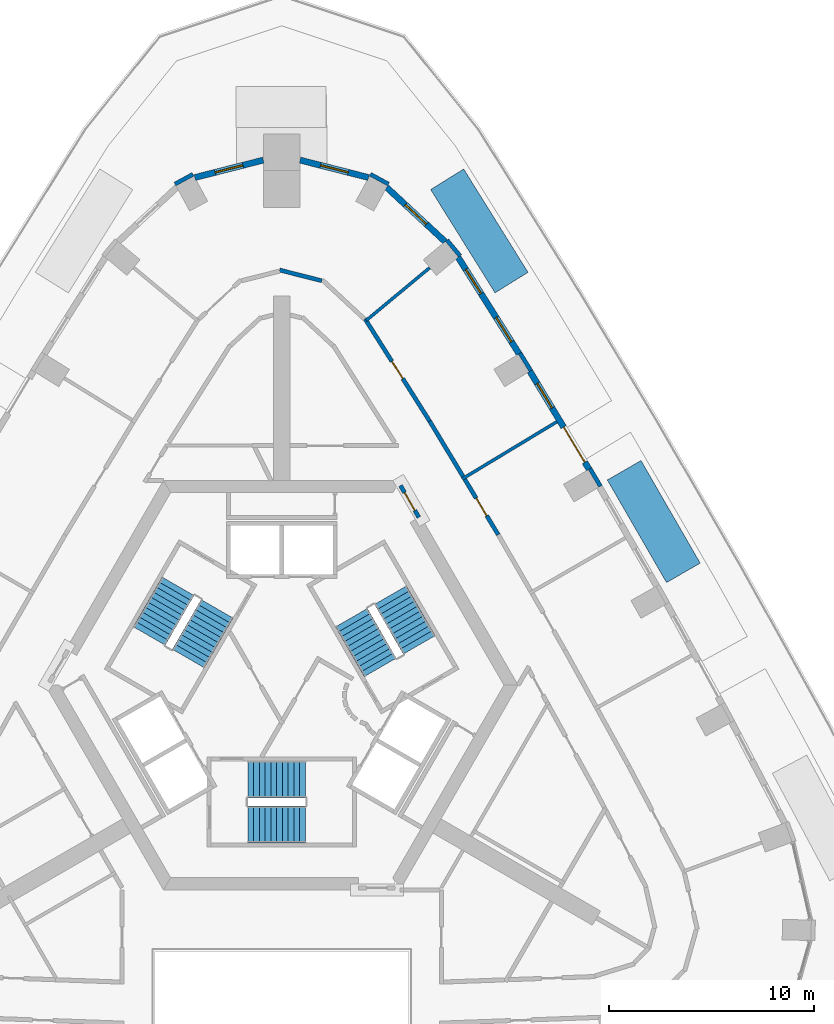
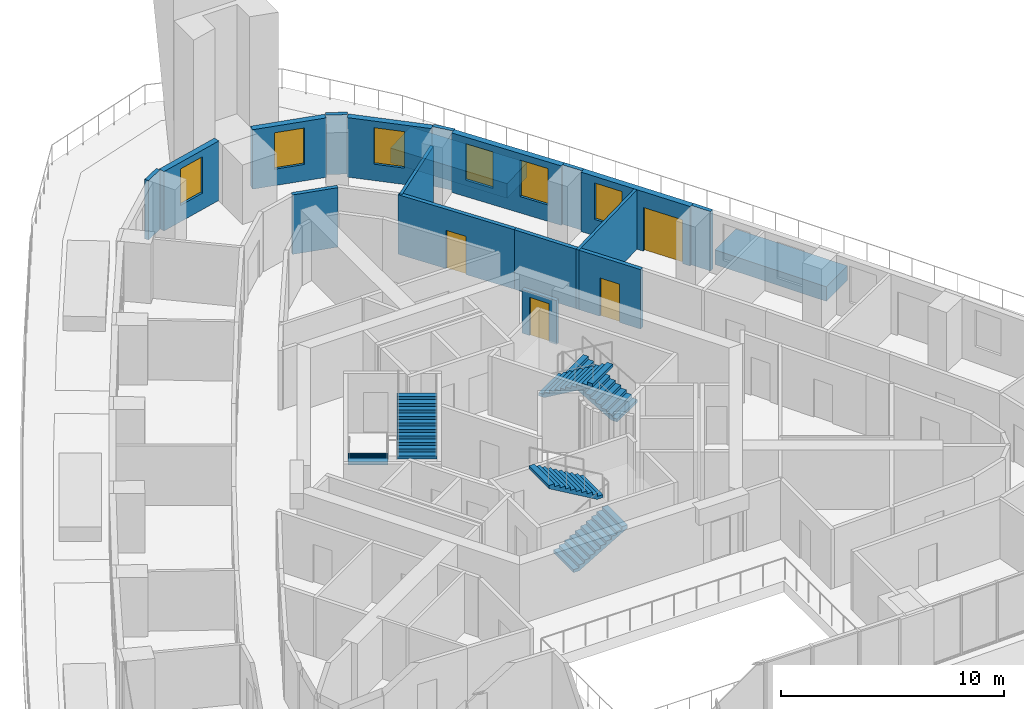
# One storey, part 10 of 14: 19 walls, 6 stair flights, 6 windows, 4 doors, 10 openings, 3 elements without a shape of their own.
"""IFC4 building model written with IfcOpenShell, lengths in metres."""

from ifc_helpers import new_model, si_unit, direction, frame, frame_2d, origin, place, context, subcontext, project, spatial, polyline, rectangle, outline, extrude, material, layer, layer_set, type_object, element, fill, aggregate, save


model = new_model("IFC4")

# Units and contexts
model_context = context("Model", 3, precision=1e-05, world=origin(), true_north=direction((0.0, 1.0)))
body_context = subcontext(model_context, "Body", "Model", "MODEL_VIEW")
ifc_project = project(units=[si_unit("LENGTHUNIT", "METRE"), si_unit("AREAUNIT", "SQUARE_METRE"), si_unit("VOLUMEUNIT", "CUBIC_METRE"), si_unit("PLANEANGLEUNIT", "RADIAN"), si_unit("MASSUNIT", "GRAM", prefix="KILO")], contexts=[model_context])

# Site, building, storey
site_placement = place(None, origin())
site = spatial("IfcSite", under=ifc_project, at=site_placement, CompositionType="ELEMENT")
building_placement = place(site_placement, origin())
building = spatial("IfcBuilding", under=site, at=building_placement, Name="Entoto Arch Interchange Tower", CompositionType="ELEMENT")
storey_placement = place(building_placement, frame((0.0, 0.0, 241.39990234375)))
storey = spatial("IfcBuildingStorey", under=building, at=storey_placement, Name="L54", CompositionType="ELEMENT", Elevation=241.39990234375)

# Wall, opening, door
ifc_material_1 = material(Name="Reinforced concrete C40/50", Category="concrete")
ifc_layer_1 = layer(ifc_material_1, 0.199951171875)
ifc_layer_set_1 = layer_set([ifc_layer_1], Name="Reinforced concrete C40/50")
wall_type_1 = type_object("IfcWallType", Name="CORE GAP INFILL WALL", PredefinedType="PARTITIONING", material=ifc_layer_set_1)
wall_1_placement = place(storey_placement, frame((6.698974609375, 10.697021484375, 0.0), z_axis=(0.0, 0.0, 1.0), x_axis=(-0.499914839587, 0.866074565589, 0.0)))
wall_1 = element("IfcWall", 1, at=wall_1_placement, inside=storey, type_object=wall_type_1, Name="wall:L54:gap2", PredefinedType="PARTITIONING", context=body_context, shape_type="SweptSolid", body=[
    extrude(rectangle(XDim=1.794189453125, YDim=0.199951171875, at=frame_2d((0.89697265625, 0.0))), origin(), (0.0, 0.0, 1.0), 2.400146484375),
])
opening_1_placement = place(wall_1_placement, frame((0.39697265625, 0.0, 0.0)))
opening_1 = element("IfcOpeningElement", 2, at=opening_1_placement, cuts=wall_1, Name="Opening L54-D92", PredefinedType="OPENING", context=body_context, shape_type="SweptSolid", body=[
    extrude(rectangle(XDim=1.0, YDim=2.10009765625, at=frame_2d((0.5, 1.050048828125))), frame((0.0, 0.10986328125, 0.0), z_axis=(0.0, -1.0, 0.0), x_axis=(1.0, 0.0, 0.0)), (0.0, 0.0, 1.0), 0.219970703125),
])
ifc_material_2 = material(Name="Fire-rated Steel S235 door and frame", Category="steel")
door_type_1 = type_object("IfcDoorType", Name="DOOR FD-10 1000x2100", OperationType="SINGLE_SWING_LEFT", PredefinedType="DOOR", material=ifc_material_2)
door_1_placement = place(opening_1_placement, origin())
door_1 = element("IfcDoor", 3, at=door_1_placement, inside=storey, type_object=door_type_1, Name="door:L54:gap2", OperationType="SINGLE_SWING_LEFT", OverallHeight=2.10009765625, OverallWidth=1.0, PredefinedType="DOOR", context=body_context, shape_type="SweptSolid", body=[
    extrude(rectangle(XDim=1.0, YDim=2.10009765625, at=frame_2d((0.5, 1.050048828125))), frame((0.0, 0.02490234375, 0.0), z_axis=(0.0, -1.0, 0.0), x_axis=(1.0, 0.0, 0.0)), (0.0, 0.0, 1.0), 0.050048828125),
])
fill(opening_1, door_1)

# Walls
ifc_material_3 = material(Name="Gypsum board partition on steel studs", Category="steel")
ifc_layer_2 = layer(ifc_material_3, 0.14990234375)
ifc_layer_set_2 = layer_set([ifc_layer_2], Name="Gypsum board partition on steel studs")
wall_type_2 = type_object("IfcWallType", Name="PARTITION 150", PredefinedType="PARTITIONING", material=ifc_layer_set_2)
wall_2_placement = place(storey_placement, frame((8.81396484375, 12.572021484375, 0.0), z_axis=(0.0, 0.0, 1.0), x_axis=(0.855957229262, 0.517046633945, 0.0)))
element("IfcWall", 4, at=wall_2_placement, inside=storey, type_object=wall_type_2, Name="wall:L54:p107", PredefinedType="PARTITIONING", context=body_context, shape_type="SweptSolid", body=[
    extrude(rectangle(XDim=5.39990234375, YDim=0.14990234375, at=frame_2d((2.699951171875, 0.0))), origin(), (0.0, 0.0, 1.0), 3.260009765625),
])
wall_3_placement = place(storey_placement, frame((4.12109375, 20.31005859375, 0.0), z_axis=(0.0, 0.0, 1.0), x_axis=(0.769367727798, 0.638806151679, 0.0)))
element("IfcWall", 5, at=wall_3_placement, inside=storey, type_object=wall_type_2, Name="wall:L54:p108", PredefinedType="PARTITIONING", context=body_context, shape_type="SweptSolid", body=[
    extrude(rectangle(XDim=4.02783203125, YDim=0.14990234375, at=frame_2d((2.013916015625, 0.0))), origin(), (0.0, 0.0, 1.0), 3.260009765625),
])

# Wall, opening, door
ifc_layer_3 = layer(ifc_material_3, 0.199951171875)
ifc_layer_set_3 = layer_set([ifc_layer_3], Name="Gypsum board partition on steel studs")
wall_type_3 = type_object("IfcWallType", Name="PARTITION 200", PredefinedType="PARTITIONING", material=ifc_layer_set_3)
wall_4_placement = place(storey_placement, frame((8.93896484375, 12.55908203125, 0.0), z_axis=(0.0, 0.0, 1.0), x_axis=(0.517045022441, -0.855958202699, 0.0)))
wall_4 = element("IfcWall", 6, at=wall_4_placement, inside=storey, type_object=wall_type_3, Name="wall:L54:p043", PredefinedType="PARTITIONING", context=body_context, shape_type="SweptSolid", body=[
    extrude(rectangle(XDim=3.166015625, YDim=0.199951171875, at=frame_2d((1.5830078125, 0.0))), origin(), (0.0, 0.0, 1.0), 3.260009765625),
])
opening_2_placement = place(wall_4_placement, frame((1.0830078125, 0.0, 0.0)))
opening_2 = element("IfcOpeningElement", 7, at=opening_2_placement, cuts=wall_4, Name="Opening L54-D05", PredefinedType="OPENING", context=body_context, shape_type="SweptSolid", body=[
    extrude(rectangle(XDim=1.0, YDim=2.10009765625, at=frame_2d((0.5, 1.050048828125))), frame((0.0, 0.10986328125, 0.0), z_axis=(0.0, -1.0, 0.0), x_axis=(1.0, 0.0, 0.0)), (0.0, 0.0, 1.0), 0.219970703125),
])
ifc_material_4 = material(Name="Timber door leaf in Steel S235 frame", Category="steel")
door_type_2 = type_object("IfcDoorType", Name="DOOR DS-10 1000x2100", OperationType="SINGLE_SWING_LEFT", PredefinedType="DOOR", material=ifc_material_4)
door_2_placement = place(opening_2_placement, origin())
door_2 = element("IfcDoor", 8, at=door_2_placement, inside=storey, type_object=door_type_2, Name="door:L54:05", OperationType="SINGLE_SWING_LEFT", OverallHeight=2.10009765625, OverallWidth=1.0, PredefinedType="DOOR", context=body_context, shape_type="SweptSolid", body=[
    extrude(rectangle(XDim=1.0, YDim=2.10009765625, at=frame_2d((0.5, 1.050048828125))), frame((0.0, 0.02490234375, 0.0), z_axis=(0.0, -1.0, 0.0), x_axis=(1.0, 0.0, 0.0)), (0.0, 0.0, 1.0), 0.050048828125),
])
fill(opening_2, door_2)

wall_5_placement = place(storey_placement, frame((4.068115234375, 20.39501953125, 0.0), z_axis=(0.0, 0.0, 1.0), x_axis=(0.534062936615, -0.845444723051, 0.0)))
wall_5 = element("IfcWall", 9, at=wall_5_placement, inside=storey, type_object=wall_type_3, Name="wall:L54:p045", PredefinedType="PARTITIONING", context=body_context, shape_type="SweptSolid", body=[
    extrude(rectangle(XDim=5.909423828125, YDim=0.199951171875, at=frame_2d((2.95458984375, 0.0))), origin(), (0.0, 0.0, 1.0), 3.260009765625),
])
opening_3_placement = place(wall_5_placement, frame((2.455078125, 0.0, 0.0)))
opening_3 = element("IfcOpeningElement", 10, at=opening_3_placement, cuts=wall_5, Name="Opening L54-D06", PredefinedType="OPENING", context=body_context, shape_type="SweptSolid", body=[
    extrude(rectangle(XDim=1.0, YDim=2.10009765625, at=frame_2d((0.5, 1.050048828125))), frame((0.0, 0.10986328125, 0.0), z_axis=(0.0, -1.0, 0.0), x_axis=(1.0, 0.0, 0.0)), (0.0, 0.0, 1.0), 0.219970703125),
])
door_3_placement = place(opening_3_placement, origin())
door_3 = element("IfcDoor", 11, at=door_3_placement, inside=storey, type_object=door_type_2, Name="door:L54:06", OperationType="SINGLE_SWING_LEFT", OverallHeight=2.10009765625, OverallWidth=1.0, PredefinedType="DOOR", context=body_context, shape_type="SweptSolid", body=[
    extrude(rectangle(XDim=1.0, YDim=2.10009765625, at=frame_2d((0.5, 1.050048828125))), frame((0.0, 0.02490234375, 0.0), z_axis=(0.0, -1.0, 0.0), x_axis=(1.0, 0.0, 0.0)), (0.0, 0.0, 1.0), 0.050048828125),
])
fill(opening_3, door_3)

# Walls
wall_6_placement = place(storey_placement, frame((7.22412109375, 15.39892578125, 0.0), z_axis=(0.0, 0.0, 1.0), x_axis=(0.51690854001, -0.856040630615, 0.0)))
element("IfcWall", 12, at=wall_6_placement, inside=storey, type_object=wall_type_3, Name="wall:L54:p046", PredefinedType="PARTITIONING", context=body_context, shape_type="SweptSolid", body=[
    extrude(rectangle(XDim=3.166748046875, YDim=0.199951171875, at=frame_2d((1.58349609375, 0.0))), origin(), (0.0, 0.0, 1.0), 3.260009765625),
])
wall_7_placement = place(storey_placement, frame((-0.096923828125, 22.77490234375, 0.0), z_axis=(0.0, 0.0, 1.0), x_axis=(0.969139178222, -0.246514204934, 0.0)))
element("IfcWall", 13, at=wall_7_placement, inside=storey, type_object=wall_type_3, Name="wall:L54:p049", PredefinedType="PARTITIONING", context=body_context, shape_type="SweptSolid", body=[
    extrude(rectangle(XDim=2.121337890625, YDim=0.199951171875, at=frame_2d((1.060546875, 0.0))), origin(), (0.0, 0.0, 1.0), 3.260009765625),
])
ifc_material_5 = material(Name="Board-marked precast concrete C50/60", Category="concrete")
ifc_layer_4 = layer(ifc_material_5, 1.89990234375)
ifc_layer_set_4 = layer_set([ifc_layer_4], Name="Board-marked precast concrete C50/60")
wall_type_4 = type_object("IfcWallType", Name="PLANTER RC 1900 Afrocarpus falcatus", PredefinedType="STANDARD", material=ifc_layer_set_4)
wall_8_placement = place(storey_placement, frame((11.22607421875, 22.1630859375, 0.0), z_axis=(0.0, 0.0, 1.0), x_axis=(-0.528950321205, 0.848652789836, 0.0)))
element("IfcWall", 14, at=wall_8_placement, inside=storey, type_object=wall_type_4, Name="Terrace planter NE-05 L54", PredefinedType="STANDARD", context=body_context, shape_type="SweptSolid", body=[
    extrude(rectangle(XDim=5.94580078125, YDim=1.89990234375, at=frame_2d((2.972900390625, 0.0))), origin(), (0.0, 0.0, 1.0), 0.800048828125),
])
ifc_layer_5 = layer(ifc_material_5, 1.89990234375)
ifc_layer_set_5 = layer_set([ifc_layer_5], Name="Board-marked precast concrete C50/60")
wall_type_5 = type_object("IfcWallType", Name="PLANTER RC 1900 Olea europaea subsp. cuspidata", PredefinedType="STANDARD", material=ifc_layer_set_5)
wall_9_placement = place(storey_placement, frame((19.617919921875, 7.986083984375, 0.0), z_axis=(0.0, 0.0, 1.0), x_axis=(-0.499964737226, 0.866045761799, 0.0)))
element("IfcWall", 15, at=wall_9_placement, inside=storey, type_object=wall_type_5, Name="Terrace planter NE-03 L54", PredefinedType="STANDARD", context=body_context, shape_type="SweptSolid", body=[
    extrude(rectangle(XDim=5.7861328125, YDim=1.89990234375, at=frame_2d((2.89306640625, 0.0))), origin(), (0.0, 0.0, 1.0), 0.800048828125),
])

# Wall, openings, door, window
ifc_material_6 = material(Name="Welded tuff (ignimbrite) cladding, warm buff", Category="masonry")
ifc_layer_6 = layer(ifc_material_6, 0.300048828125)
ifc_layer_set_6 = layer_set([ifc_layer_6], Name="Welded tuff (ignimbrite) cladding, warm buff")
wall_type_6 = type_object("IfcWallType", Name="STONE INFILL WALL 300", PredefinedType="STANDARD", material=ifc_layer_set_6)
wall_10_placement = place(storey_placement, frame((15.010986328125, 13.048095703125, 0.0), z_axis=(0.0, 0.0, 1.0), x_axis=(-0.517169592475, 0.855882943293, 0.0)))
wall_10 = element("IfcWall", 16, at=wall_10_placement, inside=storey, type_object=wall_type_6, Name="Facade wall NE-04 L54", PredefinedType="STANDARD", context=body_context, shape_type="SweptSolid", body=[
    extrude(rectangle(XDim=5.593994140625, YDim=0.300048828125, at=frame_2d((2.796875, 0.0))), origin(), (0.0, 0.0, 1.0), 3.260009765625),
])
opening_4_placement = place(wall_10_placement, frame((0.39892578125, 0.0, 0.0)))
opening_4 = element("IfcOpeningElement", 17, at=opening_4_placement, cuts=wall_10, Name="Opening DT-NE-04-L54", PredefinedType="OPENING", context=body_context, shape_type="SweptSolid", body=[
    extrude(rectangle(XDim=2.0, YDim=2.39990234375, at=frame_2d((1.0, 1.199951171875))), frame((0.0, 0.16015625, 0.0), z_axis=(0.0, -1.0, 0.0), x_axis=(1.0, 0.0, 0.0)), (0.0, 0.0, 1.0), 0.320068359375),
])
opening_5_placement = place(wall_10_placement, frame((3.49609375, 0.0, 0.89990234375)))
opening_5 = element("IfcOpeningElement", 18, at=opening_5_placement, cuts=wall_10, Name="Opening WH-B", PredefinedType="OPENING", context=body_context, shape_type="SweptSolid", body=[
    extrude(rectangle(XDim=1.39990234375, YDim=2.0, at=frame_2d((0.699951171875, 1.0))), frame((0.0, 0.16015625, 0.0), z_axis=(0.0, -1.0, 0.0), x_axis=(1.0, 0.0, 0.0)), (0.0, 0.0, 1.0), 0.320068359375),
])
ifc_material_7 = material(Name="Aluminium and clear glass, anodised", Category="aluminium")
door_type_3 = type_object("IfcDoorType", Name="TERRACE DOOR DT 2000x2400", OperationType="SLIDING_TO_LEFT", PredefinedType="DOOR", material=ifc_material_7)
door_4_placement = place(opening_4_placement, origin())
door_4 = element("IfcDoor", 19, at=door_4_placement, inside=storey, type_object=door_type_3, Name="Terrace door NE-04 L54", OperationType="SLIDING_TO_LEFT", OverallHeight=2.39990234375, OverallWidth=2.0, PredefinedType="DOOR", context=body_context, shape_type="SweptSolid", body=[
    extrude(rectangle(XDim=2.0, YDim=2.39990234375, at=frame_2d((1.0, 1.199951171875))), frame((0.0, 0.02490234375, 0.0), z_axis=(0.0, -1.0, 0.0), x_axis=(1.0, 0.0, 0.0)), (0.0, 0.0, 1.0), 0.050048828125),
])
fill(opening_4, door_4)
ifc_material_8 = material(Name="Clear glass, low-e double glazed", Category="glass")
window_type = type_object("IfcWindowType", Name="WINDOW WH-B 1400x2000", PartitioningType="DOUBLE_PANEL_VERTICAL", PredefinedType="WINDOW", material=ifc_material_8)
window_1_placement = place(opening_5_placement, origin())
window_1 = element("IfcWindow", 20, at=window_1_placement, inside=storey, type_object=window_type, Name="Window WH-B NE-04 L54", OverallHeight=2.0, OverallWidth=1.39990234375, PartitioningType="SINGLE_PANEL", PredefinedType="WINDOW", context=body_context, shape_type="SweptSolid", body=[
    extrude(rectangle(XDim=1.39990234375, YDim=2.0, at=frame_2d((0.699951171875, 1.0))), frame((0.0, 0.030029296875, 0.0), z_axis=(0.0, -1.0, 0.0), x_axis=(1.0, 0.0, 0.0)), (0.0, 0.0, 1.0), 0.06005859375),
])
fill(opening_5, window_1)

# Wall, openings, windows
wall_11_placement = place(storey_placement, frame((11.593994140625, 18.68505859375, 0.0), z_axis=(0.0, 0.0, 1.0), x_axis=(-0.534088597203, 0.845428512849, 0.0)))
wall_11 = element("IfcWall", 21, at=wall_11_placement, inside=storey, type_object=wall_type_6, Name="Facade wall NE-05 L54", PredefinedType="STANDARD", context=body_context, shape_type="SweptSolid", body=[
    extrude(rectangle(XDim=5.572265625, YDim=0.300048828125, at=frame_2d((2.7861328125, 0.0))), origin(), (0.0, 0.0, 1.0), 3.260009765625),
])
opening_6_placement = place(wall_11_placement, frame((0.693115234375, 0.0, 0.89990234375)))
opening_6 = element("IfcOpeningElement", 22, at=opening_6_placement, cuts=wall_11, Name="Opening WH-B", PredefinedType="OPENING", context=body_context, shape_type="SweptSolid", body=[
    extrude(rectangle(XDim=1.39990234375, YDim=2.0, at=frame_2d((0.699951171875, 1.0))), frame((0.0, 0.16015625, 0.0), z_axis=(0.0, -1.0, 0.0), x_axis=(1.0, 0.0, 0.0)), (0.0, 0.0, 1.0), 0.320068359375),
])
opening_7_placement = place(wall_11_placement, frame((3.47900390625, 0.0, 0.89990234375)))
opening_7 = element("IfcOpeningElement", 23, at=opening_7_placement, cuts=wall_11, Name="Opening WH-B", PredefinedType="OPENING", context=body_context, shape_type="SweptSolid", body=[
    extrude(rectangle(XDim=1.39990234375, YDim=2.0, at=frame_2d((0.699951171875, 1.0))), frame((0.0, 0.16015625, 0.0), z_axis=(0.0, -1.0, 0.0), x_axis=(1.0, 0.0, 0.0)), (0.0, 0.0, 1.0), 0.320068359375),
])
window_2_placement = place(opening_6_placement, origin())
window_2 = element("IfcWindow", 24, at=window_2_placement, inside=storey, type_object=window_type, Name="Window WH-B NE-05 L54", OverallHeight=2.0, OverallWidth=1.39990234375, PartitioningType="SINGLE_PANEL", PredefinedType="WINDOW", context=body_context, shape_type="SweptSolid", body=[
    extrude(rectangle(XDim=1.39990234375, YDim=2.0, at=frame_2d((0.699951171875, 1.0))), frame((0.0, 0.030029296875, 0.0), z_axis=(0.0, -1.0, 0.0), x_axis=(1.0, 0.0, 0.0)), (0.0, 0.0, 1.0), 0.06005859375),
])
fill(opening_6, window_2)
window_3_placement = place(opening_7_placement, origin())
window_3 = element("IfcWindow", 25, at=window_3_placement, inside=storey, type_object=window_type, Name="Window WH-B NE-05 L54", OverallHeight=2.0, OverallWidth=1.39990234375, PartitioningType="SINGLE_PANEL", PredefinedType="WINDOW", context=body_context, shape_type="SweptSolid", body=[
    extrude(rectangle(XDim=1.39990234375, YDim=2.0, at=frame_2d((0.699951171875, 1.0))), frame((0.0, 0.030029296875, 0.0), z_axis=(0.0, -1.0, 0.0), x_axis=(1.0, 0.0, 0.0)), (0.0, 0.0, 1.0), 0.06005859375),
])
fill(opening_7, window_3)

# Wall, opening, window
wall_12_placement = place(storey_placement, frame((7.98095703125, 24.1640625, 0.0), z_axis=(0.0, 0.0, 1.0), x_axis=(-0.733038780179, 0.680186846942, 0.0)))
wall_12 = element("IfcWall", 26, at=wall_12_placement, inside=storey, type_object=wall_type_6, Name="Facade wall N-01 L54", PredefinedType="STANDARD", context=body_context, shape_type="SweptSolid", body=[
    extrude(rectangle(XDim=3.898681640625, YDim=0.300048828125, at=frame_2d((1.94921875, 0.0))), origin(), (0.0, 0.0, 1.0), 3.260009765625),
])
opening_8_placement = place(wall_12_placement, frame((1.2490234375, 0.0, 0.89990234375)))
opening_8 = element("IfcOpeningElement", 27, at=opening_8_placement, cuts=wall_12, Name="Opening WH-B", PredefinedType="OPENING", context=body_context, shape_type="SweptSolid", body=[
    extrude(rectangle(XDim=1.39990234375, YDim=2.0, at=frame_2d((0.699951171875, 1.0))), frame((0.0, 0.16015625, 0.0), z_axis=(0.0, -1.0, 0.0), x_axis=(1.0, 0.0, 0.0)), (0.0, 0.0, 1.0), 0.320068359375),
])
window_4_placement = place(opening_8_placement, origin())
window_4 = element("IfcWindow", 28, at=window_4_placement, inside=storey, type_object=window_type, Name="Window WH-B N-01 L54", OverallHeight=2.0, OverallWidth=1.39990234375, PartitioningType="SINGLE_PANEL", PredefinedType="WINDOW", context=body_context, shape_type="SweptSolid", body=[
    extrude(rectangle(XDim=1.39990234375, YDim=2.0, at=frame_2d((0.699951171875, 1.0))), frame((0.0, 0.030029296875, 0.0), z_axis=(0.0, -1.0, 0.0), x_axis=(1.0, 0.0, 0.0)), (0.0, 0.0, 1.0), 0.06005859375),
])
fill(opening_8, window_4)

wall_13_placement = place(storey_placement, frame((4.2470703125, 27.29296875, 0.0), z_axis=(0.0, 0.0, 1.0), x_axis=(-0.969111301113, 0.24662377431, 0.0)))
wall_13 = element("IfcWall", 29, at=wall_13_placement, inside=storey, type_object=wall_type_6, Name="Facade wall N-02 L54", PredefinedType="STANDARD", context=body_context, shape_type="SweptSolid", body=[
    extrude(rectangle(XDim=3.454833984375, YDim=0.300048828125, at=frame_2d((1.7275390625, 0.0))), origin(), (0.0, 0.0, 1.0), 3.260009765625),
])
opening_9_placement = place(wall_13_placement, frame((1.027099609375, 0.0, 0.89990234375)))
opening_9 = element("IfcOpeningElement", 30, at=opening_9_placement, cuts=wall_13, Name="Opening WH-B", PredefinedType="OPENING", context=body_context, shape_type="SweptSolid", body=[
    extrude(rectangle(XDim=1.39990234375, YDim=2.0, at=frame_2d((0.699951171875, 1.0))), frame((0.0, 0.16015625, 0.0), z_axis=(0.0, -1.0, 0.0), x_axis=(1.0, 0.0, 0.0)), (0.0, 0.0, 1.0), 0.320068359375),
])
window_5_placement = place(opening_9_placement, origin())
window_5 = element("IfcWindow", 31, at=window_5_placement, inside=storey, type_object=window_type, Name="Window WH-B N-02 L54", OverallHeight=2.0, OverallWidth=1.39990234375, PartitioningType="SINGLE_PANEL", PredefinedType="WINDOW", context=body_context, shape_type="SweptSolid", body=[
    extrude(rectangle(XDim=1.39990234375, YDim=2.0, at=frame_2d((0.699951171875, 1.0))), frame((0.0, 0.030029296875, 0.0), z_axis=(0.0, -1.0, 0.0), x_axis=(1.0, 0.0, 0.0)), (0.0, 0.0, 1.0), 0.06005859375),
])
fill(opening_9, window_5)

wall_14_placement = place(storey_placement, frame((-0.89892578125, 28.14501953125, 0.0), z_axis=(0.0, 0.0, 1.0), x_axis=(-0.969111301113, -0.24662377431, 0.0)))
wall_14 = element("IfcWall", 32, at=wall_14_placement, inside=storey, type_object=wall_type_6, Name="Facade wall N-03 L54", PredefinedType="STANDARD", context=body_context, shape_type="SweptSolid", body=[
    extrude(rectangle(XDim=3.454833984375, YDim=0.300048828125, at=frame_2d((1.7275390625, 0.0))), origin(), (0.0, 0.0, 1.0), 3.260009765625),
])
opening_10_placement = place(wall_14_placement, frame((1.027099609375, 0.0, 0.89990234375)))
opening_10 = element("IfcOpeningElement", 33, at=opening_10_placement, cuts=wall_14, Name="Opening WH-B", PredefinedType="OPENING", context=body_context, shape_type="SweptSolid", body=[
    extrude(rectangle(XDim=1.39990234375, YDim=2.0, at=frame_2d((0.699951171875, 1.0))), frame((0.0, 0.16015625, 0.0), z_axis=(0.0, -1.0, 0.0), x_axis=(1.0, 0.0, 0.0)), (0.0, 0.0, 1.0), 0.320068359375),
])
window_6_placement = place(opening_10_placement, origin())
window_6 = element("IfcWindow", 34, at=window_6_placement, inside=storey, type_object=window_type, Name="Window WH-B N-03 L54", OverallHeight=2.0, OverallWidth=1.39990234375, PartitioningType="SINGLE_PANEL", PredefinedType="WINDOW", context=body_context, shape_type="SweptSolid", body=[
    extrude(rectangle(XDim=1.39990234375, YDim=2.0, at=frame_2d((0.699951171875, 1.0))), frame((0.0, 0.030029296875, 0.0), z_axis=(0.0, -1.0, 0.0), x_axis=(1.0, 0.0, 0.0)), (0.0, 0.0, 1.0), 0.06005859375),
])
fill(opening_10, window_6)

# Walls
ifc_layer_7 = layer(ifc_material_6, 0.199951171875)
ifc_layer_set_7 = layer_set([ifc_layer_7], Name="Welded tuff (ignimbrite) cladding, warm buff")
wall_type_7 = type_object("IfcWallType", Name="STONE PIER CLADDING 200", PredefinedType="STANDARD", material=ifc_layer_set_7)
for number, where, z_axis, x_axis, name in (
    (35, (5.2109375, 26.97509765625, 0.0), (0.0, 0.0, 1.0), (-0.878352573164, 0.478013344183, 0.0), "Stone pier N1 L54"),
    (36, (-4.3330078125, 27.452880859375, 0.0), (0.0, 0.0, 1.0), (-0.878352573164, -0.478013344183, 0.0), "Stone pier N3 L54"),
    (37, (15.56591796875, 12.216064453125, 0.0), (0.0, 0.0, 1.0), (-0.508087253435, 0.86130560366, 0.0), "Stone pier NE04 L54"),
):
    element("IfcWall", number, at=place(storey_placement, frame(where, z_axis=z_axis, x_axis=x_axis)), inside=storey, type_object=wall_type_7, Name=name, PredefinedType="STANDARD", context=body_context, shape_type="SweptSolid", body=[
        extrude(rectangle(XDim=0.99951171875, YDim=0.199951171875, at=frame_2d((0.499755859375, 0.0))), origin(), (0.0, 0.0, 1.0), 3.260009765625),
    ])
wall_15_placement = place(storey_placement, frame((12.166015625, 17.864013671875, 0.0), z_axis=(0.0, 0.0, 1.0), x_axis=(-0.525825307325, 0.850592585306, 0.0)))
element("IfcWall", 38, at=wall_15_placement, inside=storey, type_object=wall_type_7, Name="Stone pier NE05 L54", PredefinedType="STANDARD", context=body_context, shape_type="SweptSolid", body=[
    extrude(rectangle(XDim=1.00048828125, YDim=0.199951171875, at=frame_2d((0.500244140625, 0.0))), origin(), (0.0, 0.0, 1.0), 3.260009765625),
])
wall_16_placement = place(storey_placement, frame((8.7080078125, 23.468994140625, 0.0), z_axis=(0.0, 0.0, 1.0), x_axis=(-0.637972365578, 0.770059257953, 0.0)))
element("IfcWall", 39, at=wall_16_placement, inside=storey, type_object=wall_type_7, Name="Stone pier NE06 L54", PredefinedType="STANDARD", context=body_context, shape_type="SweptSolid", body=[
    extrude(rectangle(XDim=1.0, YDim=0.199951171875, at=frame_2d((0.5, 0.0))), origin(), (0.0, 0.0, 1.0), 3.260009765625),
])

# Stair, stair flights
ifc_material_9 = material(Name="Concrete C40/50", Category="concrete")
stair_type = type_object("IfcStairType", Name="EXIT STAIR RC 1800", PredefinedType="HALF_TURN_STAIR", material=ifc_material_9)
stair_1_placement = place(storey_placement, origin())
stair_1 = element("IfcStair", 40, at=stair_1_placement, inside=storey, type_object=stair_type, Name="L54 Exit stair S", PredefinedType="HALF_TURN_STAIR")
stair_flight_type = type_object("IfcStairFlightType", Name="EXIT STAIR FLIGHT RC 1800", PredefinedType="STRAIGHT", material=ifc_material_9)
stair_flight_1_placement = place(storey_placement, frame((-1.64990234375, -4.300048828125, 0.0), z_axis=(0.0, 0.0, 1.0), x_axis=(1.0, 0.0, 0.0)))
stair_flight_1 = element("IfcStairFlight", 41, at=stair_flight_1_placement, type_object=stair_flight_type, Name="ST-S flight 1", NumberOfRisers=11, NumberOfTreads=10, PredefinedType="STRAIGHT", RiserHeight=0.163636364, TreadLength=0.28, context=body_context, shape_type="SweptSolid", body=[
    extrude(outline(polyline([(-0.0029296875, 0.0), (-0.0029296875, 0.16357421875), (0.280029296875, 0.16357421875), (0.280029296875, 0.327392578125), (0.56005859375, 0.327392578125), (0.56005859375, 0.490966796875), (0.840087890625, 0.490966796875), (0.840087890625, 0.654541015625), (1.1201171875, 0.654541015625), (1.1201171875, 0.818115234375), (1.39990234375, 0.818115234375), (1.39990234375, 0.98193359375), (1.679931640625, 0.98193359375), (1.679931640625, 1.1455078125), (1.9599609375, 1.1455078125), (1.9599609375, 1.30908203125), (2.239990234375, 1.30908203125), (2.239990234375, 1.47265625), (2.52001953125, 1.47265625), (2.52001953125, 1.636474609375), (2.800048828125, 1.636474609375), (2.802978515625, 1.636474609375), (2.802978515625, 1.464599609375), (0.297119140625, 0.0), (-0.0029296875, 0.0)])), frame((0.0, 0.89990234375, 0.0), z_axis=(0.0, -1.0, 0.0), x_axis=(1.0, 0.0, 0.0)), (0.0, 0.0, 1.0), 1.800048828125),
])
stair_flight_2_placement = place(storey_placement, frame((1.14990234375, -2.10009765625, 1.800048828125), z_axis=(0.0, 0.0, 1.0), x_axis=(-1.0, 0.0, 0.0)))
stair_flight_2 = element("IfcStairFlight", 42, at=stair_flight_2_placement, type_object=stair_flight_type, Name="ST-S flight 2", NumberOfRisers=11, NumberOfTreads=10, PredefinedType="STRAIGHT", RiserHeight=0.163636364, TreadLength=0.28, context=body_context, shape_type="SweptSolid", body=[
    extrude(outline(polyline([(-0.0029296875, 0.0), (-0.0029296875, 0.16357421875), (0.280029296875, 0.16357421875), (0.280029296875, 0.327392578125), (0.56005859375, 0.327392578125), (0.56005859375, 0.490966796875), (0.840087890625, 0.490966796875), (0.840087890625, 0.654541015625), (1.1201171875, 0.654541015625), (1.1201171875, 0.818115234375), (1.39990234375, 0.818115234375), (1.39990234375, 0.98193359375), (1.679931640625, 0.98193359375), (1.679931640625, 1.1455078125), (1.9599609375, 1.1455078125), (1.9599609375, 1.30908203125), (2.239990234375, 1.30908203125), (2.239990234375, 1.47265625), (2.52001953125, 1.47265625), (2.52001953125, 1.636474609375), (2.800048828125, 1.636474609375), (2.802978515625, 1.636474609375), (2.802978515625, 1.464599609375), (0.297119140625, 0.0), (-0.0029296875, 0.0)])), frame((0.0, 0.89990234375, 0.0), z_axis=(0.0, -1.0, 0.0), x_axis=(1.0, 0.0, 0.0)), (0.0, 0.0, 1.0), 1.800048828125),
])
aggregate(stair_1, [stair_flight_1, stair_flight_2])

stair_2_placement = place(storey_placement, origin())
stair_2 = element("IfcStair", 43, at=stair_2_placement, inside=storey, type_object=stair_type, Name="L54 Exit stair NE", PredefinedType="HALF_TURN_STAIR")
stair_flight_3_placement = place(storey_placement, frame((6.7138671875, 4.470947265625, 0.0), z_axis=(0.0, 0.0, 1.0), x_axis=(-0.5, 0.866025403784, 0.0)))
stair_flight_3 = element("IfcStairFlight", 44, at=stair_flight_3_placement, type_object=stair_flight_type, Name="ST-NE flight 1", NumberOfRisers=11, NumberOfTreads=10, PredefinedType="STRAIGHT", RiserHeight=0.163636364, TreadLength=0.28, context=body_context, shape_type="SweptSolid", body=[
    extrude(outline(polyline([(-0.0029296875, 0.0), (-0.0029296875, 0.16357421875), (0.280029296875, 0.16357421875), (0.280029296875, 0.327392578125), (0.56005859375, 0.327392578125), (0.56005859375, 0.490966796875), (0.840087890625, 0.490966796875), (0.840087890625, 0.654541015625), (1.1201171875, 0.654541015625), (1.1201171875, 0.818115234375), (1.39990234375, 0.818115234375), (1.39990234375, 0.98193359375), (1.679931640625, 0.98193359375), (1.679931640625, 1.1455078125), (1.9599609375, 1.1455078125), (1.9599609375, 1.30908203125), (2.239990234375, 1.30908203125), (2.239990234375, 1.47265625), (2.52001953125, 1.47265625), (2.52001953125, 1.636474609375), (2.800048828125, 1.636474609375), (2.802978515625, 1.636474609375), (2.802978515625, 1.464599609375), (0.297119140625, 0.0), (-0.0029296875, 0.0)])), frame((0.0, 0.89990234375, 0.0), z_axis=(0.0, -1.0, 0.0), x_axis=(1.0, 0.0, 0.0)), (0.0, 0.0, 1.0), 1.800048828125),
])
stair_flight_4_placement = place(storey_placement, frame((3.40869140625, 5.7958984375, 1.800048828125), z_axis=(0.0, 0.0, 1.0), x_axis=(0.5, -0.866025403784, 0.0)))
stair_flight_4 = element("IfcStairFlight", 45, at=stair_flight_4_placement, type_object=stair_flight_type, Name="ST-NE flight 2", NumberOfRisers=11, NumberOfTreads=10, PredefinedType="STRAIGHT", RiserHeight=0.163636364, TreadLength=0.28, context=body_context, shape_type="SweptSolid", body=[
    extrude(outline(polyline([(-0.0029296875, 0.0), (-0.0029296875, 0.16357421875), (0.280029296875, 0.16357421875), (0.280029296875, 0.327392578125), (0.56005859375, 0.327392578125), (0.56005859375, 0.490966796875), (0.840087890625, 0.490966796875), (0.840087890625, 0.654541015625), (1.1201171875, 0.654541015625), (1.1201171875, 0.818115234375), (1.39990234375, 0.818115234375), (1.39990234375, 0.98193359375), (1.679931640625, 0.98193359375), (1.679931640625, 1.1455078125), (1.9599609375, 1.1455078125), (1.9599609375, 1.30908203125), (2.239990234375, 1.30908203125), (2.239990234375, 1.47265625), (2.52001953125, 1.47265625), (2.52001953125, 1.636474609375), (2.800048828125, 1.636474609375), (2.802978515625, 1.636474609375), (2.802978515625, 1.464599609375), (0.297119140625, 0.0), (-0.0029296875, 0.0)])), frame((0.0, 0.89990234375, 0.0), z_axis=(0.0, -1.0, 0.0), x_axis=(1.0, 0.0, 0.0)), (0.0, 0.0, 1.0), 1.800048828125),
])
aggregate(stair_2, [stair_flight_3, stair_flight_4])

stair_3_placement = place(storey_placement, origin())
stair_3 = element("IfcStair", 46, at=stair_3_placement, inside=storey, type_object=stair_type, Name="L54 Exit stair NW", PredefinedType="HALF_TURN_STAIR")
stair_flight_5_placement = place(storey_placement, frame((-5.06396484375, 7.328857421875, 0.0), z_axis=(0.0, 0.0, 1.0), x_axis=(-0.5, -0.866025403784, 0.0)))
stair_flight_5 = element("IfcStairFlight", 47, at=stair_flight_5_placement, type_object=stair_flight_type, Name="ST-NW flight 1", NumberOfRisers=11, NumberOfTreads=10, PredefinedType="STRAIGHT", RiserHeight=0.163636364, TreadLength=0.28, context=body_context, shape_type="SweptSolid", body=[
    extrude(outline(polyline([(-0.0029296875, 0.0), (-0.0029296875, 0.16357421875), (0.280029296875, 0.16357421875), (0.280029296875, 0.327392578125), (0.56005859375, 0.327392578125), (0.56005859375, 0.490966796875), (0.840087890625, 0.490966796875), (0.840087890625, 0.654541015625), (1.1201171875, 0.654541015625), (1.1201171875, 0.818115234375), (1.39990234375, 0.818115234375), (1.39990234375, 0.98193359375), (1.679931640625, 0.98193359375), (1.679931640625, 1.1455078125), (1.9599609375, 1.1455078125), (1.9599609375, 1.30908203125), (2.239990234375, 1.30908203125), (2.239990234375, 1.47265625), (2.52001953125, 1.47265625), (2.52001953125, 1.636474609375), (2.800048828125, 1.636474609375), (2.802978515625, 1.636474609375), (2.802978515625, 1.464599609375), (0.297119140625, 0.0), (-0.0029296875, 0.0)])), frame((0.0, 0.89990234375, 0.0), z_axis=(0.0, -1.0, 0.0), x_axis=(1.0, 0.0, 0.0)), (0.0, 0.0, 1.0), 1.800048828125),
])
stair_flight_6_placement = place(storey_placement, frame((-4.558837890625, 3.803955078125, 1.800048828125), z_axis=(0.0, 0.0, 1.0), x_axis=(0.5, 0.866025403784, 0.0)))
stair_flight_6 = element("IfcStairFlight", 48, at=stair_flight_6_placement, type_object=stair_flight_type, Name="ST-NW flight 2", NumberOfRisers=11, NumberOfTreads=10, PredefinedType="STRAIGHT", RiserHeight=0.163636364, TreadLength=0.28, context=body_context, shape_type="SweptSolid", body=[
    extrude(outline(polyline([(-0.0029296875, 0.0), (-0.0029296875, 0.16357421875), (0.280029296875, 0.16357421875), (0.280029296875, 0.327392578125), (0.56005859375, 0.327392578125), (0.56005859375, 0.490966796875), (0.840087890625, 0.490966796875), (0.840087890625, 0.654541015625), (1.1201171875, 0.654541015625), (1.1201171875, 0.818115234375), (1.39990234375, 0.818115234375), (1.39990234375, 0.98193359375), (1.679931640625, 0.98193359375), (1.679931640625, 1.1455078125), (1.9599609375, 1.1455078125), (1.9599609375, 1.30908203125), (2.239990234375, 1.30908203125), (2.239990234375, 1.47265625), (2.52001953125, 1.47265625), (2.52001953125, 1.636474609375), (2.800048828125, 1.636474609375), (2.802978515625, 1.636474609375), (2.802978515625, 1.464599609375), (0.297119140625, 0.0), (-0.0029296875, 0.0)])), frame((0.0, 0.89990234375, 0.0), z_axis=(0.0, -1.0, 0.0), x_axis=(1.0, 0.0, 0.0)), (0.0, 0.0, 1.0), 1.800048828125),
])
aggregate(stair_3, [stair_flight_5, stair_flight_6])

save(model, "model.ifc")
